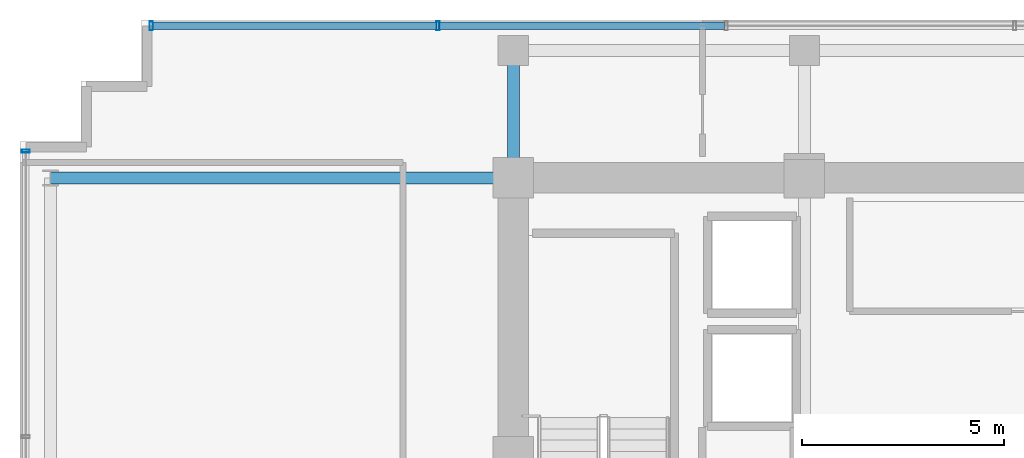
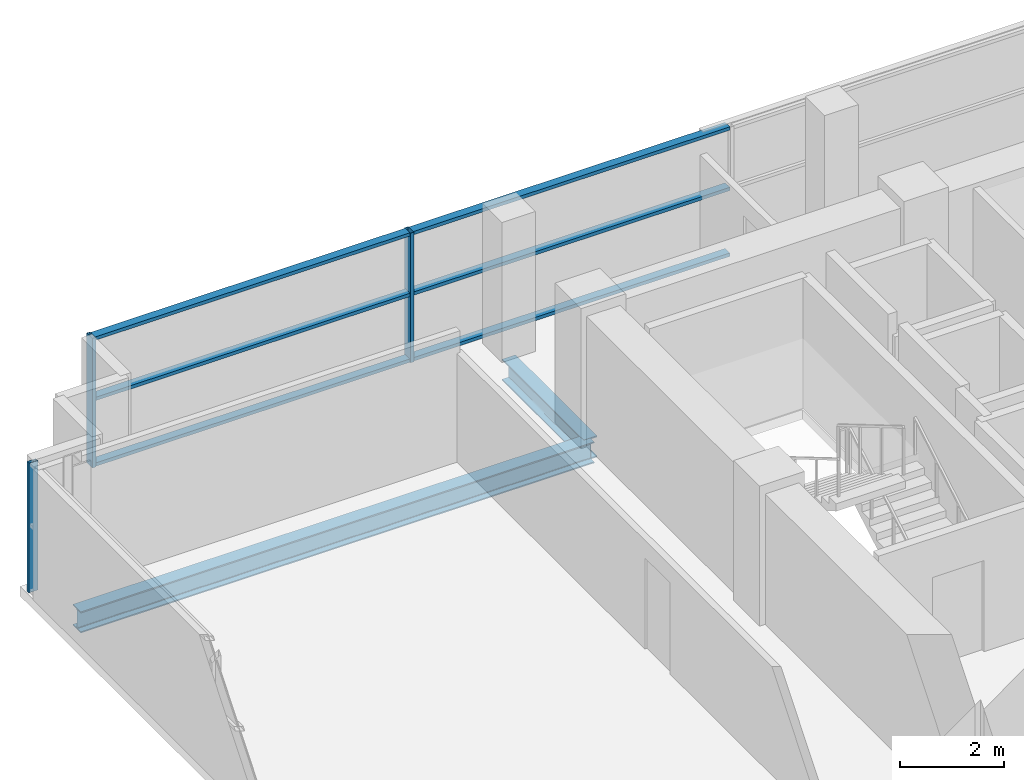
# One storey, part 12 of 23: 9 members, 2 beams, 2 elements without a shape of their own.
"""IFC4 building model written with IfcOpenShell, lengths in metres."""

import ifcopenshell
import ifcopenshell.guid

model = None  # the IFC model being written
_history = None  # IfcOwnerHistory: only IFC2X3 demands one
_inside = {}  # id of a spatial element -> (the spatial element, [elements in it])
_under = {}  # id of a project, library or spatial element -> (it, [spatial elements below it])
_declared = {}  # id of a project -> (the project, [libraries it declares])
_typed = {}  # id of a type object -> (the type object, [elements of that type])
_made_of = {}  # id of a material, layer set ... -> (it, [elements and type objects made of it])


def new_model(schema):
    """Start an empty IFC model of exactly this schema.

    Asked for "IFC4X3", IfcOpenShell would pick the latest addendum, in which some entities
    have other attributes; the version numbers below select the first issue.
    IFC2X3 requires an IfcOwnerHistory on every rooted entity: one is made here for all.
    """
    global model, _history
    if schema == "IFC4X3":
        model = ifcopenshell.file(schema_version=(4, 3, 0, 0))
    else:
        model = ifcopenshell.file(schema=schema)
    _inside.clear()
    _under.clear()
    _declared.clear()
    _typed.clear()
    _made_of.clear()
    _history = None
    if model.schema == "IFC2X3":
        org = make("IfcOrganization", Name="unknown")
        user = make(
            "IfcPersonAndOrganization",
            ThePerson=make("IfcPerson", FamilyName="unknown"),
            TheOrganization=org,
        )
        app = make(
            "IfcApplication",
            ApplicationDeveloper=org,
            Version="unknown",
            ApplicationFullName="unknown",
            ApplicationIdentifier="unknown",
        )
        _history = make(
            "IfcOwnerHistory",
            OwningUser=user,
            OwningApplication=app,
            ChangeAction="ADDED",
            CreationDate=0,
        )
    return model


def make(cls, **values):
    """One entity of the class cls with the attributes given. An attribute that is None is left unset."""
    return model.create_entity(
        cls, **{name: value for name, value in values.items() if value is not None}
    )


def rooted(cls, **values):
    """An entity with a GlobalId (a new one), such as an element, a storey or a relation."""
    return make(cls, GlobalId=ifcopenshell.guid.new(), OwnerHistory=_history, **values)


def si_unit(unit_type, name, prefix=None):
    """IfcSIUnit, for example si_unit("LENGTHUNIT", "METRE", prefix="MILLI")."""
    return make("IfcSIUnit", UnitType=unit_type, Prefix=prefix, Name=name)


def assignment(units):
    """IfcUnitAssignment: the units of a project."""
    return None if units is None else make("IfcUnitAssignment", Units=units)


def point(xyz):
    """IfcCartesianPoint."""
    return None if xyz is None else make("IfcCartesianPoint", Coordinates=xyz)


def direction(xyz):
    """IfcDirection."""
    return None if xyz is None else make("IfcDirection", DirectionRatios=xyz)


def frame(location, z_axis=None, x_axis=None):
    """IfcAxis2Placement3D, a coordinate frame: its origin and axes. An axis left out is left unset."""
    return make(
        "IfcAxis2Placement3D",
        Location=point(location),
        Axis=direction(z_axis),
        RefDirection=direction(x_axis),
    )


def frame_2d(location, x_axis=None):
    """IfcAxis2Placement2D, a coordinate frame in the plane: its origin and x axis."""
    return make(
        "IfcAxis2Placement2D", Location=point(location), RefDirection=direction(x_axis)
    )


def origin():
    """The frame at (0, 0, 0) with its axes left unset."""
    return frame((0.0, 0.0, 0.0))


def origin_2d():
    """The frame at (0, 0) in the plane with its x axis left unset."""
    return frame_2d((0.0, 0.0))


def place(relative_to, where):
    """IfcLocalPlacement: puts the frame where relative to a parent placement (None: the world)."""
    return make(
        "IfcLocalPlacement", PlacementRelTo=relative_to, RelativePlacement=where
    )


def context(
    kind, dimensions, precision=None, world=None, true_north=None, identifier=None
):
    """IfcGeometricRepresentationContext, for example the 3D "Model" context."""
    return make(
        "IfcGeometricRepresentationContext",
        ContextIdentifier=identifier,
        ContextType=kind,
        CoordinateSpaceDimension=dimensions,
        Precision=precision,
        WorldCoordinateSystem=world,
        TrueNorth=true_north,
    )


def subcontext(parent, identifier, kind, view, scale=None):
    """IfcGeometricRepresentationSubContext, for example "Body" below "Model"."""
    return make(
        "IfcGeometricRepresentationSubContext",
        ContextIdentifier=identifier,
        ContextType=kind,
        ParentContext=parent,
        TargetScale=scale,
        TargetView=view,
    )


def project(units=None, contexts=None):
    """IfcProject with its units and contexts."""
    return rooted(
        "IfcProject",
        Name="project",
        RepresentationContexts=contexts,
        UnitsInContext=assignment(units),
    )


def spatial(cls, under=None, at=None, **own):
    """A site, building, storey or space (cls), placed at a placement, below another one or the project."""
    s = rooted(cls, ObjectPlacement=at, **own)
    if under is not None:
        _under.setdefault(under.id(), (under, []))[1].append(s)
    return s


def profile(cls, at=None, kind="AREA", **sizes):
    """A parametric profile (cls). Its sizes go by their IFC names, for example OverallWidth=200.0."""
    return make(cls, ProfileType=kind, Position=at, **sizes)


def hollow_rectangle(**sizes):
    """IfcRectangleHollowProfileDef."""
    return profile("IfcRectangleHollowProfileDef", **sizes)


def i_section(**sizes):
    """IfcIShapeProfileDef."""
    return profile("IfcIShapeProfileDef", **sizes)


def extrude(swept, where, along, depth):
    """IfcExtrudedAreaSolid: the profile swept, set in the frame where, extruded along a direction by depth."""
    return make(
        "IfcExtrudedAreaSolid",
        SweptArea=swept,
        Position=where,
        ExtrudedDirection=direction(along),
        Depth=depth,
    )


def shape(context_of_items, identifier, shape_type, items):
    """IfcShapeRepresentation: the items that make up one representation, for example the "Body"."""
    return make(
        "IfcShapeRepresentation",
        ContextOfItems=context_of_items,
        RepresentationIdentifier=identifier,
        RepresentationType=shape_type,
        Items=items,
    )


def source(mapping_origin, context_of_items, identifier, shape_type, items):
    """IfcRepresentationMap: a shape defined once, which mapped items show again and again."""
    return make(
        "IfcRepresentationMap",
        MappingOrigin=mapping_origin,
        MappedRepresentation=shape(context_of_items, identifier, shape_type, items),
    )


def transform(
    local_origin,
    x_axis=None,
    y_axis=None,
    z_axis=None,
    scale=None,
    scale2=None,
    scale3=None,
    uniform=True,
):
    """IfcCartesianTransformationOperator3D, or its non-uniform kind. x_axis, y_axis, z_axis: its Axis1, 2, 3."""
    if uniform:
        return make(
            "IfcCartesianTransformationOperator3D",
            Axis1=direction(x_axis),
            Axis2=direction(y_axis),
            LocalOrigin=point(local_origin),
            Scale=scale,
            Axis3=direction(z_axis),
        )
    return make(
        "IfcCartesianTransformationOperator3DnonUniform",
        Axis1=direction(x_axis),
        Axis2=direction(y_axis),
        LocalOrigin=point(local_origin),
        Scale=scale,
        Axis3=direction(z_axis),
        Scale2=scale2,
        Scale3=scale3,
    )


def mapped(mapping_source, mapping_target):
    """IfcMappedItem: shows the shape of a source again, moved by a transform."""
    return make(
        "IfcMappedItem", MappingSource=mapping_source, MappingTarget=mapping_target
    )


def material(Name=None, Category=None):
    """IfcMaterial."""
    return make("IfcMaterial", Name=Name, Category=Category)


def layer(
    of_material, thickness, ventilated=None, Name=None, Category=None, Priority=None
):
    """IfcMaterialLayer: one layer of a wall or slab, of a material (None: an air gap)."""
    return make(
        "IfcMaterialLayer",
        Material=of_material,
        LayerThickness=thickness,
        IsVentilated=ventilated,
        Name=Name,
        Category=Category,
        Priority=Priority,
    )


def layer_set(layers, Name=None):
    """IfcMaterialLayerSet."""
    return make("IfcMaterialLayerSet", MaterialLayers=layers, LayerSetName=Name)


def material_profile(
    of_material, cross_section, Name=None, Category=None, Priority=None
):
    """IfcMaterialProfile: a cross section and its material."""
    return make(
        "IfcMaterialProfile",
        Name=Name,
        Material=of_material,
        Profile=cross_section,
        Priority=Priority,
        Category=Category,
    )


def profile_set(profiles, Name=None, composite=None):
    """IfcMaterialProfileSet."""
    return make(
        "IfcMaterialProfileSet",
        Name=Name,
        MaterialProfiles=profiles,
        CompositeProfile=composite,
    )


def made_of(thing, what):
    """Note that an element or type object is made of a material, layer set ...; save() writes the relation."""
    if what is not None:
        _made_of.setdefault(what.id(), (what, []))[1].append(thing)
    return thing


def type_object(cls, material=None, **own):
    """A type object (cls), such as IfcWallType, which elements share."""
    return made_of(rooted(cls, **own), material)


def element(
    cls,
    number,
    at=None,
    inside=None,
    cuts=None,
    type_object=None,
    material=None,
    context=None,
    identifier="Body",
    shape_type=None,
    held_by="IfcProductDefinitionShape",
    body=None,
    shapes=None,
    **own,
):
    """One element of the class cls, such as IfcWall. Its Tag is "e" and its number.

    at: its placement. inside: the storey or other place that contains it. cuts: it is an
    opening in that element (IfcRelVoidsElement). A single representation is given by context,
    identifier, shape_type and body (its items); several are given by shapes. held_by: the class
    of the entity that holds the representations. save() writes the other relations.
    """
    e = rooted(cls, Tag="e%d" % number, ObjectPlacement=at, **own)
    if body is not None:
        shapes = [shape(context, identifier, shape_type, body)]
    if shapes is not None:
        e.Representation = make(held_by, Representations=shapes)
    if inside is not None:
        _inside.setdefault(inside.id(), (inside, []))[1].append(e)
    if cuts is not None:
        rooted(
            "IfcRelVoidsElement", RelatingBuildingElement=cuts, RelatedOpeningElement=e
        )
    if type_object is not None:
        _typed.setdefault(type_object.id(), (type_object, []))[1].append(e)
    return made_of(e, material)


def aggregate(whole, parts):
    """IfcRelAggregates: a whole, such as a stair, and the parts it consists of."""
    return rooted("IfcRelAggregates", RelatingObject=whole, RelatedObjects=parts)


def save(model, path):
    """Write the relations noted so far, then the file.

    IfcRelAggregates (storeys below a building ...), IfcRelContainedInSpatialStructure (elements
    in a storey), IfcRelDefinesByType, IfcRelAssociatesMaterial and IfcRelDeclares: one each for
    every whole, place, type object, material and project.
    """
    for whole, parts in _under.values():
        aggregate(whole, parts)
    for where, things in _inside.values():
        rooted(
            "IfcRelContainedInSpatialStructure",
            RelatedElements=things,
            RelatingStructure=where,
        )
    for kind, things in _typed.values():
        rooted("IfcRelDefinesByType", RelatedObjects=things, RelatingType=kind)
    for what, things in _made_of.values():
        rooted("IfcRelAssociatesMaterial", RelatedObjects=things, RelatingMaterial=what)
    for by, libraries in _declared.values():
        rooted("IfcRelDeclares", RelatingContext=by, RelatedDefinitions=libraries)
    model.write(path)


model = new_model("IFC4")

# Units and contexts
model_context = context("Model", 3, precision=1e-05, world=origin(), true_north=direction((0.0, 1.0)))
body_context = subcontext(model_context, "Body", "Model", "MODEL_VIEW")
ifc_project = project(units=[si_unit("LENGTHUNIT", "METRE"), si_unit("AREAUNIT", "SQUARE_METRE"), si_unit("VOLUMEUNIT", "CUBIC_METRE"), si_unit("PLANEANGLEUNIT", "RADIAN"), si_unit("MASSUNIT", "GRAM", prefix="KILO")], contexts=[model_context])

# Site, building, storey
site_placement = place(None, origin())
site = spatial("IfcSite", under=ifc_project, at=site_placement, CompositionType="ELEMENT")
building_placement = place(site_placement, origin())
building = spatial("IfcBuilding", under=site, at=building_placement, Name="Zarnakvel Exchange Tower", CompositionType="ELEMENT")
storey_placement = place(building_placement, frame((0.0, 0.0, 149.5)))
storey = spatial("IfcBuildingStorey", under=building, at=storey_placement, Name="L41", CompositionType="ELEMENT", Elevation=149.5)

# Beams
ifc_material_1 = material(Name="Steel S355", Category="steel")
ifc_material_profile_1 = material_profile(ifc_material_1, i_section(OverallWidth=0.300048828125, OverallDepth=0.5, WebThickness=0.014404296875, FlangeThickness=0.028076171875, FilletRadius=0.027099609375, at=origin_2d()))
ifc_profile_set_1 = profile_set([ifc_material_profile_1], Name="Steel S355")
beam_type = type_object("IfcBeamType", Name="G-06", PredefinedType="BEAM", material=ifc_profile_set_1)
beam_1_placement = place(storey_placement, frame((-25.85009765625, 13.5, -0.47509765625), z_axis=(1.0, 0.0, 0.0), x_axis=(0.0, 1.0, 0.0)))
element("IfcBeam", 1, at=beam_1_placement, inside=storey, type_object=beam_type, Name="L41 Tower E-W Frame Beam", PredefinedType="BEAM", context=body_context, shape_type="SweptSolid", body=[
    extrude(i_section(OverallWidth=0.300048828125, OverallDepth=0.5, WebThickness=0.014404296875, FlangeThickness=0.028076171875, FilletRadius=0.027099609375, at=origin_2d()), origin(), (0.0, 0.0, 1.0), 11.4501953125),
])
beam_2_placement = place(storey_placement, frame((-14.39990234375, 13.5, -0.47509765625), z_axis=(0.0, 1.0, 0.0), x_axis=(-1.0, 0.0, 0.0)))
element("IfcBeam", 2, at=beam_2_placement, inside=storey, type_object=beam_type, Name="L41 Tower N-S Frame Beam", PredefinedType="BEAM", context=body_context, shape_type="SweptSolid", body=[
    extrude(i_section(OverallWidth=0.300048828125, OverallDepth=0.5, WebThickness=0.014404296875, FlangeThickness=0.028076171875, FilletRadius=0.027099609375, at=origin_2d()), origin(), (0.0, 0.0, 1.0), 3.14990234375),
])

# Curtain wall, member
ifc_material_2 = material(Name="Architectural Bronze Anodised Aluminium", Category="aluminium")
ifc_layer_1 = layer(ifc_material_2, 0.199951171875)
ifc_layer_set_1 = layer_set([ifc_layer_1], Name="Architectural Bronze Anodised Aluminium")
curtain_wall_type_1 = type_object("IfcCurtainWallType", Name="CW-04", PredefinedType="NOTDEFINED", material=ifc_layer_set_1)
curtain_wall_1_placement = place(storey_placement, origin())
curtain_wall_1 = element("IfcCurtainWall", 3, at=curtain_wall_1_placement, inside=storey, type_object=curtain_wall_type_1, Name="L41 Curtain Wall CW-L41-W1 (CW-04)", PredefinedType="NOTDEFINED")
ifc_material_profile_2 = material_profile(ifc_material_2, hollow_rectangle(XDim=0.199951171875, YDim=0.074951171875, WallThickness=0.0048828125, at=origin_2d()))
ifc_profile_set_2 = profile_set([ifc_material_profile_2], Name="Architectural Bronze Anodised Aluminium")
member_type_1 = type_object("IfcMemberType", Name="CWM-04", PredefinedType="MULLION", material=ifc_profile_set_2)
shared_shape_1 = source(origin(), body_context, "Body", "SweptSolid", [
    extrude(hollow_rectangle(XDim=0.199951171875, YDim=0.074951171875, WallThickness=0.0048828125, at=origin_2d()), origin(), (0.0, 0.0, 1.0), 3.054931640625),
])
member_1_placement = place(storey_placement, frame((-26.4599609375, 14.16259765625, 0.0), z_axis=(0.0, 0.0, 1.0), x_axis=(-1.0, 0.0, 0.0)))
member_1 = element("IfcMember", 4, at=member_1_placement, type_object=member_type_1, Name="CW-04 mullion 5", PredefinedType="MULLION", context=body_context, shape_type="MappedRepresentation", body=[
    mapped(shared_shape_1, transform((0.0, 0.0, 0.0), x_axis=(1.0, 0.0, 0.0), y_axis=(0.0, 1.0, 0.0), z_axis=(0.0, 0.0, 1.0), scale=1.0)),
])
aggregate(curtain_wall_1, [member_1])

# Curtain wall, members
ifc_layer_2 = layer(ifc_material_2, 0.219970703125)
ifc_layer_set_2 = layer_set([ifc_layer_2], Name="Architectural Bronze Anodised Aluminium")
curtain_wall_type_2 = type_object("IfcCurtainWallType", Name="CW-03", PredefinedType="NOTDEFINED", material=ifc_layer_set_2)
curtain_wall_2_placement = place(storey_placement, origin())
curtain_wall_2 = element("IfcCurtainWall", 5, at=curtain_wall_2_placement, inside=storey, type_object=curtain_wall_type_2, Name="L41 Curtain Wall CW-L41-N1 (CW-03)", PredefinedType="NOTDEFINED")
ifc_material_profile_3 = material_profile(ifc_material_2, hollow_rectangle(XDim=0.219970703125, YDim=0.080078125, WallThickness=0.0048828125, at=origin_2d()))
ifc_profile_set_3 = profile_set([ifc_material_profile_3], Name="Architectural Bronze Anodised Aluminium")
member_type_2 = type_object("IfcMemberType", Name="CWM-03", PredefinedType="MULLION", material=ifc_profile_set_3)
shared_shape_2 = source(origin(), body_context, "Body", "SweptSolid", [
    extrude(hollow_rectangle(XDim=0.219970703125, YDim=0.080078125, WallThickness=0.0048828125, at=origin_2d()), origin(), (0.0, 0.0, 1.0), 3.054931640625),
])
member_2_placement = place(storey_placement, frame((-23.360107421875, 17.260009765625, 0.0), z_axis=(0.0, 0.0, 1.0), x_axis=(0.0, 1.0, 0.0)))
member_2 = element("IfcMember", 6, at=member_2_placement, type_object=member_type_2, Name="CW-03 mullion 1", PredefinedType="MULLION", context=body_context, shape_type="MappedRepresentation", body=[
    mapped(shared_shape_2, transform((0.0, 0.0, 0.0), x_axis=(1.0, 0.0, 0.0), y_axis=(0.0, 1.0, 0.0), z_axis=(0.0, 0.0, 1.0), scale=1.0)),
])
member_3_placement = place(storey_placement, frame((-16.2666015625, 17.260009765625, 0.0), z_axis=(0.0, 0.0, 1.0), x_axis=(0.0, 1.0, 0.0)))
member_3 = element("IfcMember", 7, at=member_3_placement, type_object=member_type_2, Name="CW-03 mullion 2", PredefinedType="MULLION", context=body_context, shape_type="MappedRepresentation", body=[
    mapped(shared_shape_2, transform((0.0, 0.0, 0.0), x_axis=(1.0, 0.0, 0.0), y_axis=(0.0, 1.0, 0.0), z_axis=(0.0, 0.0, 1.0), scale=1.0)),
])
ifc_material_profile_4 = material_profile(ifc_material_2, hollow_rectangle(XDim=0.179931640625, YDim=0.080078125, WallThickness=0.00390625, at=origin_2d()))
ifc_profile_set_4 = profile_set([ifc_material_profile_4], Name="Architectural Bronze Anodised Aluminium")
member_type_3 = type_object("IfcMemberType", Name="CWT-03", PredefinedType="USERDEFINED", material=ifc_profile_set_4)
shared_shape_3 = source(origin(), body_context, "Body", "SweptSolid", [
    extrude(hollow_rectangle(XDim=0.179931640625, YDim=0.080078125, WallThickness=0.00390625, at=origin_2d()), origin(), (0.0, 0.0, 1.0), 7.013427734375),
])
member_4_placement = place(storey_placement, frame((-23.320068359375, 17.260009765625, 0.0400390625), z_axis=(1.0, 0.0, 0.0), x_axis=(0.0, 1.0, 0.0)))
member_4 = element("IfcMember", 8, at=member_4_placement, type_object=member_type_3, Name="CW-03 transom 1.1", ObjectType="TRANSOM", PredefinedType="USERDEFINED", context=body_context, shape_type="MappedRepresentation", body=[
    mapped(shared_shape_3, transform((0.0, 0.0, 0.0), x_axis=(1.0, 0.0, 0.0), y_axis=(0.0, 1.0, 0.0), z_axis=(0.0, 0.0, 1.0), scale=1.0)),
])
member_5_placement = place(storey_placement, frame((-23.320068359375, 17.260009765625, 1.588623046875), z_axis=(1.0, 0.0, 0.0), x_axis=(0.0, 1.0, 0.0)))
member_5 = element("IfcMember", 9, at=member_5_placement, type_object=member_type_3, Name="CW-03 transom 1.2", ObjectType="TRANSOM", PredefinedType="USERDEFINED", context=body_context, shape_type="MappedRepresentation", body=[
    mapped(shared_shape_3, transform((0.0, 0.0, 0.0), x_axis=(1.0, 0.0, 0.0), y_axis=(0.0, 1.0, 0.0), z_axis=(0.0, 0.0, 1.0), scale=1.0)),
])
member_6_placement = place(storey_placement, frame((-23.320068359375, 17.260009765625, 3.014892578125), z_axis=(1.0, 0.0, 0.0), x_axis=(0.0, 1.0, 0.0)))
member_6 = element("IfcMember", 10, at=member_6_placement, type_object=member_type_3, Name="CW-03 transom 1.3", ObjectType="TRANSOM", PredefinedType="USERDEFINED", context=body_context, shape_type="MappedRepresentation", body=[
    mapped(shared_shape_3, transform((0.0, 0.0, 0.0), x_axis=(1.0, 0.0, 0.0), y_axis=(0.0, 1.0, 0.0), z_axis=(0.0, 0.0, 1.0), scale=1.0)),
])
shared_shape_4 = source(origin(), body_context, "Body", "SweptSolid", [
    extrude(hollow_rectangle(XDim=0.179931640625, YDim=0.080078125, WallThickness=0.00390625, at=origin_2d()), origin(), (0.0, 0.0, 1.0), 7.05322265625),
])
member_7_placement = place(storey_placement, frame((-16.2265625, 17.260009765625, 0.0400390625), z_axis=(1.0, 0.0, 0.0), x_axis=(0.0, 1.0, 0.0)))
member_7 = element("IfcMember", 11, at=member_7_placement, type_object=member_type_3, Name="CW-03 transom 2.1", ObjectType="TRANSOM", PredefinedType="USERDEFINED", context=body_context, shape_type="MappedRepresentation", body=[
    mapped(shared_shape_4, transform((0.0, 0.0, 0.0), x_axis=(1.0, 0.0, 0.0), y_axis=(0.0, 1.0, 0.0), z_axis=(0.0, 0.0, 1.0), scale=1.0)),
])
member_8_placement = place(storey_placement, frame((-16.2265625, 17.260009765625, 1.588623046875), z_axis=(1.0, 0.0, 0.0), x_axis=(0.0, 1.0, 0.0)))
member_8 = element("IfcMember", 12, at=member_8_placement, type_object=member_type_3, Name="CW-03 transom 2.2", ObjectType="TRANSOM", PredefinedType="USERDEFINED", context=body_context, shape_type="MappedRepresentation", body=[
    mapped(shared_shape_4, transform((0.0, 0.0, 0.0), x_axis=(1.0, 0.0, 0.0), y_axis=(0.0, 1.0, 0.0), z_axis=(0.0, 0.0, 1.0), scale=1.0)),
])
member_9_placement = place(storey_placement, frame((-16.2265625, 17.260009765625, 3.014892578125), z_axis=(1.0, 0.0, 0.0), x_axis=(0.0, 1.0, 0.0)))
member_9 = element("IfcMember", 13, at=member_9_placement, type_object=member_type_3, Name="CW-03 transom 2.3", ObjectType="TRANSOM", PredefinedType="USERDEFINED", context=body_context, shape_type="MappedRepresentation", body=[
    mapped(shared_shape_4, transform((0.0, 0.0, 0.0), x_axis=(1.0, 0.0, 0.0), y_axis=(0.0, 1.0, 0.0), z_axis=(0.0, 0.0, 1.0), scale=1.0)),
])
aggregate(curtain_wall_2, [member_2, member_3, member_4, member_5, member_6, member_7, member_8, member_9])

save(model, "model.ifc")
